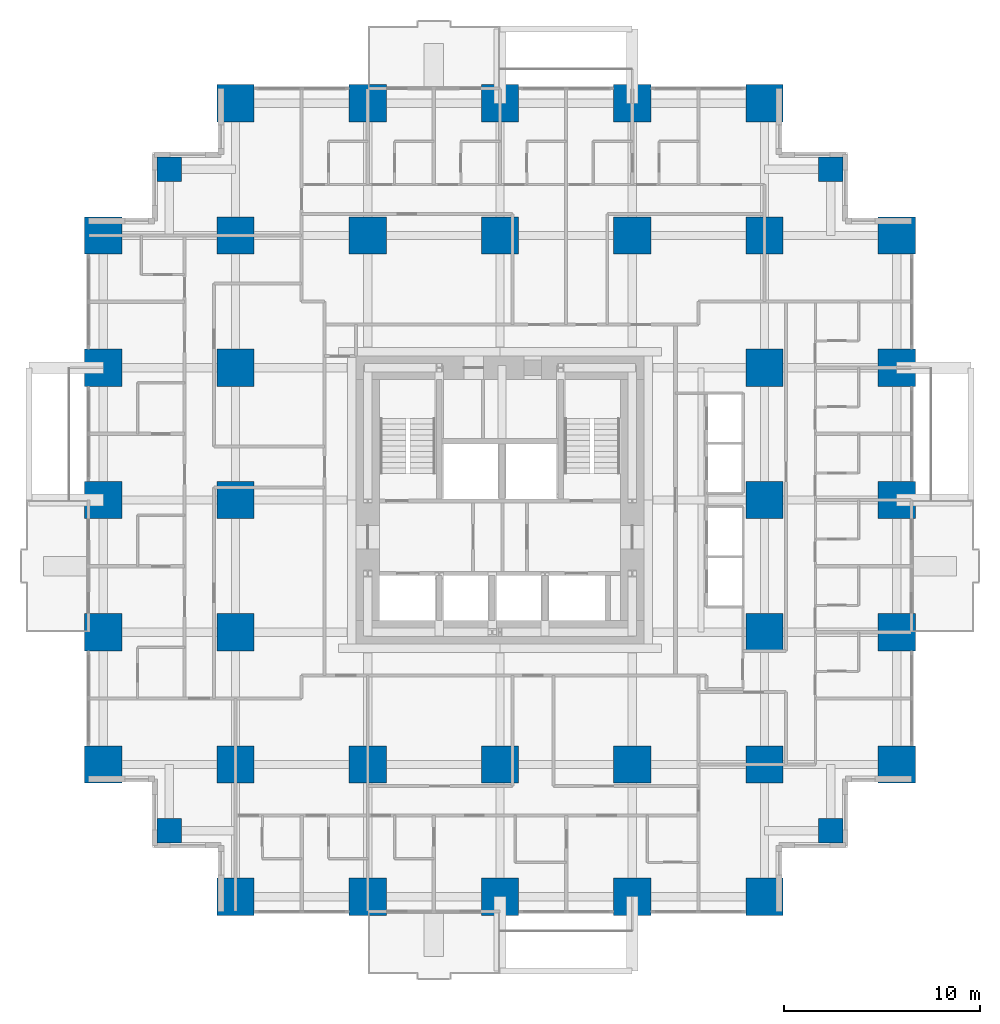
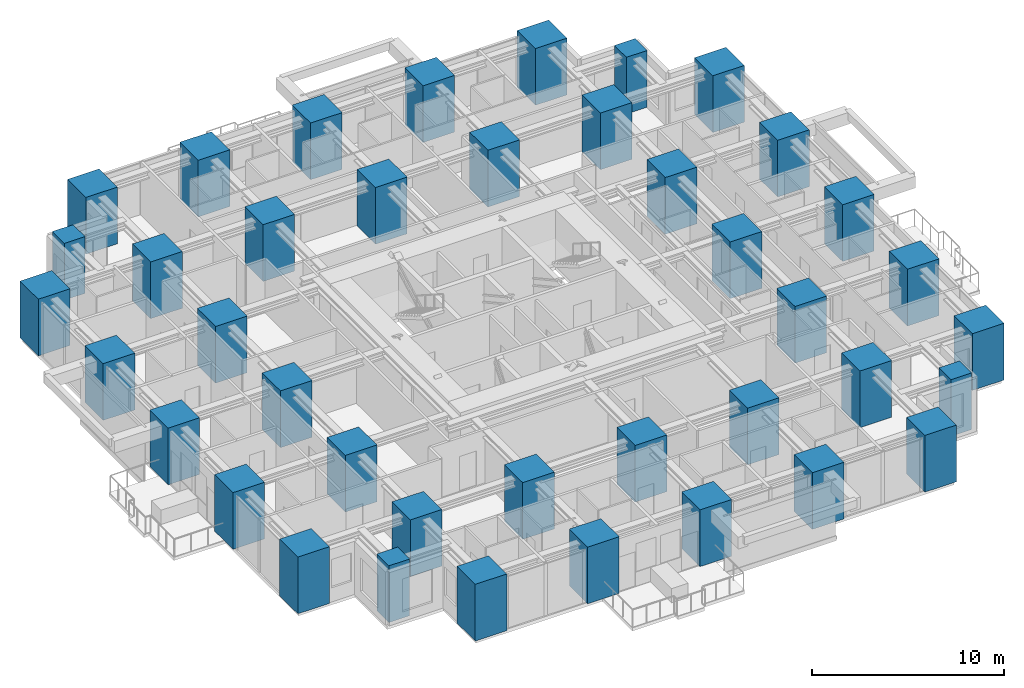
# One storey, part 1 of 15: 40 columns.
"""IFC4 building model written with IfcOpenShell, lengths in metres."""

from ifc_helpers import new_model, si_unit, direction, frame, origin, origin_2d, place, context, subcontext, project, spatial, rectangle, extrude, material, material_profile, profile_set, type_object, element, save


model = new_model("IFC4")

# Units and contexts
model_context = context("Model", 3, precision=1e-05, world=origin(), true_north=direction((0.0, 1.0)))
body_context = subcontext(model_context, "Body", "Model", "MODEL_VIEW")
ifc_project = project(units=[si_unit("LENGTHUNIT", "METRE"), si_unit("AREAUNIT", "SQUARE_METRE"), si_unit("VOLUMEUNIT", "CUBIC_METRE"), si_unit("PLANEANGLEUNIT", "RADIAN"), si_unit("MASSUNIT", "GRAM", prefix="KILO")], contexts=[model_context])

# Site, building, storey
site_placement = place(None, origin())
site = spatial("IfcSite", under=ifc_project, at=site_placement, CompositionType="ELEMENT")
building_placement = place(site_placement, origin())
building = spatial("IfcBuilding", under=site, at=building_placement, Name="Nyansa Garden Tower", CompositionType="ELEMENT")
storey_placement = place(building_placement, frame((0.0, 0.0, 25.199951171875)))
storey = spatial("IfcBuildingStorey", under=building, at=storey_placement, Name="L06", CompositionType="ELEMENT", Elevation=25.199951171875)

# Columns
ifc_material_1 = material(Name="Concrete C70/85", Category="concrete")
ifc_material_profile_1 = material_profile(ifc_material_1, rectangle(XDim=1.25, YDim=1.25, at=origin_2d()), Name="RC 1250x1250")
ifc_profile_set_1 = profile_set([ifc_material_profile_1], Name="Concrete C70/85")
column_type_1 = type_object("IfcColumnType", Name="Column C125 RC 1250x1250", PredefinedType="COLUMN", material=ifc_profile_set_1)
for number, where, z_axis, x_axis, name in (
    (1, (3.375, 3.375, 0.0), (0.0, 0.0, 1.0), (1.0, 0.0, 0.0), "Column x3.375/y3.375 L06"),
    (2, (3.375, 37.125, 0.0), (0.0, 0.0, 1.0), (1.0, 0.0, 0.0), "Column x3.375/y37.125 L06"),
    (3, (37.125, 3.375, 0.0), (0.0, 0.0, 1.0), (1.0, 0.0, 0.0), "Column x37.125/y3.375 L06"),
    (4, (37.125, 37.125, 0.0), (0.0, 0.0, 1.0), (1.0, 0.0, 0.0), "Column x37.125/y37.125 L06"),
):
    element("IfcColumn", number, at=place(storey_placement, frame(where, z_axis=z_axis, x_axis=x_axis)), inside=storey, type_object=column_type_1, Name=name, PredefinedType="COLUMN", context=body_context, shape_type="SweptSolid", body=[
        extrude(rectangle(XDim=1.25, YDim=1.25, at=origin_2d()), origin(), (0.0, 0.0, 1.0), 3.60009765625),
    ])
ifc_material_2 = material(Name="Concrete C80/95", Category="concrete")
ifc_material_profile_2 = material_profile(ifc_material_2, rectangle(XDim=1.89990234375, YDim=1.89990234375, at=origin_2d()), Name="RC 1900x1900")
ifc_profile_set_2 = profile_set([ifc_material_profile_2], Name="Concrete C80/95")
column_type_2 = type_object("IfcColumnType", Name="Column C190 RC 1900x1900", PredefinedType="COLUMN", material=ifc_profile_set_2)
for number, where, z_axis, x_axis, name in (
    (5, (0.0, 6.75, 0.0), (0.0, 0.0, 1.0), (1.0, 0.0, 0.0), "Column 2/E L06"),
    (6, (0.0, 13.5, 0.0), (0.0, 0.0, 1.0), (1.0, 0.0, 0.0), "Column 2/F L06"),
    (7, (0.0, 20.25, 0.0), (0.0, 0.0, 1.0), (1.0, 0.0, 0.0), "Column 2/G L06"),
    (8, (0.0, 27.0, 0.0), (0.0, 0.0, 1.0), (1.0, 0.0, 0.0), "Column 2/H L06"),
    (9, (0.0, 33.75, 0.0), (0.0, 0.0, 1.0), (1.0, 0.0, 0.0), "Column 2/J L06"),
    (10, (6.75, 0.0, 0.0), (0.0, 0.0, 1.0), (1.0, 0.0, 0.0), "Column 3/D L06"),
    (11, (6.75, 6.75, 0.0), (0.0, 0.0, 1.0), (1.0, 0.0, 0.0), "Column 3/E L06"),
    (12, (6.75, 13.5, 0.0), (0.0, 0.0, 1.0), (1.0, 0.0, 0.0), "Column 3/F L06"),
    (13, (6.75, 20.25, 0.0), (0.0, 0.0, 1.0), (1.0, 0.0, 0.0), "Column 3/G L06"),
    (14, (6.75, 27.0, 0.0), (0.0, 0.0, 1.0), (1.0, 0.0, 0.0), "Column 3/H L06"),
    (15, (6.75, 33.75, 0.0), (0.0, 0.0, 1.0), (1.0, 0.0, 0.0), "Column 3/J L06"),
    (16, (6.75, 40.5, 0.0), (0.0, 0.0, 1.0), (1.0, 0.0, 0.0), "Column 3/K L06"),
    (17, (13.5, 0.0, 0.0), (0.0, 0.0, 1.0), (1.0, 0.0, 0.0), "Column 4/D L06"),
    (18, (13.5, 6.75, 0.0), (0.0, 0.0, 1.0), (1.0, 0.0, 0.0), "Column 4/E L06"),
    (19, (13.5, 33.75, 0.0), (0.0, 0.0, 1.0), (1.0, 0.0, 0.0), "Column 4/J L06"),
    (20, (13.5, 40.5, 0.0), (0.0, 0.0, 1.0), (1.0, 0.0, 0.0), "Column 4/K L06"),
    (21, (20.25, 0.0, 0.0), (0.0, 0.0, 1.0), (1.0, 0.0, 0.0), "Column 5/D L06"),
    (22, (20.25, 6.75, 0.0), (0.0, 0.0, 1.0), (1.0, 0.0, 0.0), "Column 5/E L06"),
    (23, (20.25, 33.75, 0.0), (0.0, 0.0, 1.0), (1.0, 0.0, 0.0), "Column 5/J L06"),
    (24, (20.25, 40.5, 0.0), (0.0, 0.0, 1.0), (1.0, 0.0, 0.0), "Column 5/K L06"),
    (25, (27.0, 0.0, 0.0), (0.0, 0.0, 1.0), (1.0, 0.0, 0.0), "Column 6/D L06"),
    (26, (27.0, 6.75, 0.0), (0.0, 0.0, 1.0), (1.0, 0.0, 0.0), "Column 6/E L06"),
    (27, (27.0, 33.75, 0.0), (0.0, 0.0, 1.0), (1.0, 0.0, 0.0), "Column 6/J L06"),
    (28, (27.0, 40.5, 0.0), (0.0, 0.0, 1.0), (1.0, 0.0, 0.0), "Column 6/K L06"),
    (29, (33.75, 0.0, 0.0), (0.0, 0.0, 1.0), (1.0, 0.0, 0.0), "Column 7/D L06"),
    (30, (33.75, 6.75, 0.0), (0.0, 0.0, 1.0), (1.0, 0.0, 0.0), "Column 7/E L06"),
    (31, (33.75, 13.5, 0.0), (0.0, 0.0, 1.0), (1.0, 0.0, 0.0), "Column 7/F L06"),
    (32, (33.75, 20.25, 0.0), (0.0, 0.0, 1.0), (1.0, 0.0, 0.0), "Column 7/G L06"),
    (33, (33.75, 27.0, 0.0), (0.0, 0.0, 1.0), (1.0, 0.0, 0.0), "Column 7/H L06"),
    (34, (33.75, 33.75, 0.0), (0.0, 0.0, 1.0), (1.0, 0.0, 0.0), "Column 7/J L06"),
    (35, (33.75, 40.5, 0.0), (0.0, 0.0, 1.0), (1.0, 0.0, 0.0), "Column 7/K L06"),
    (36, (40.5, 6.75, 0.0), (0.0, 0.0, 1.0), (1.0, 0.0, 0.0), "Column 8/E L06"),
    (37, (40.5, 13.5, 0.0), (0.0, 0.0, 1.0), (1.0, 0.0, 0.0), "Column 8/F L06"),
    (38, (40.5, 20.25, 0.0), (0.0, 0.0, 1.0), (1.0, 0.0, 0.0), "Column 8/G L06"),
    (39, (40.5, 27.0, 0.0), (0.0, 0.0, 1.0), (1.0, 0.0, 0.0), "Column 8/H L06"),
    (40, (40.5, 33.75, 0.0), (0.0, 0.0, 1.0), (1.0, 0.0, 0.0), "Column 8/J L06"),
):
    element("IfcColumn", number, at=place(storey_placement, frame(where, z_axis=z_axis, x_axis=x_axis)), inside=storey, type_object=column_type_2, Name=name, PredefinedType="COLUMN", context=body_context, shape_type="SweptSolid", body=[
        extrude(rectangle(XDim=1.89990234375, YDim=1.89990234375, at=origin_2d()), origin(), (0.0, 0.0, 1.0), 3.60009765625),
    ])

save(model, "model.ifc")
